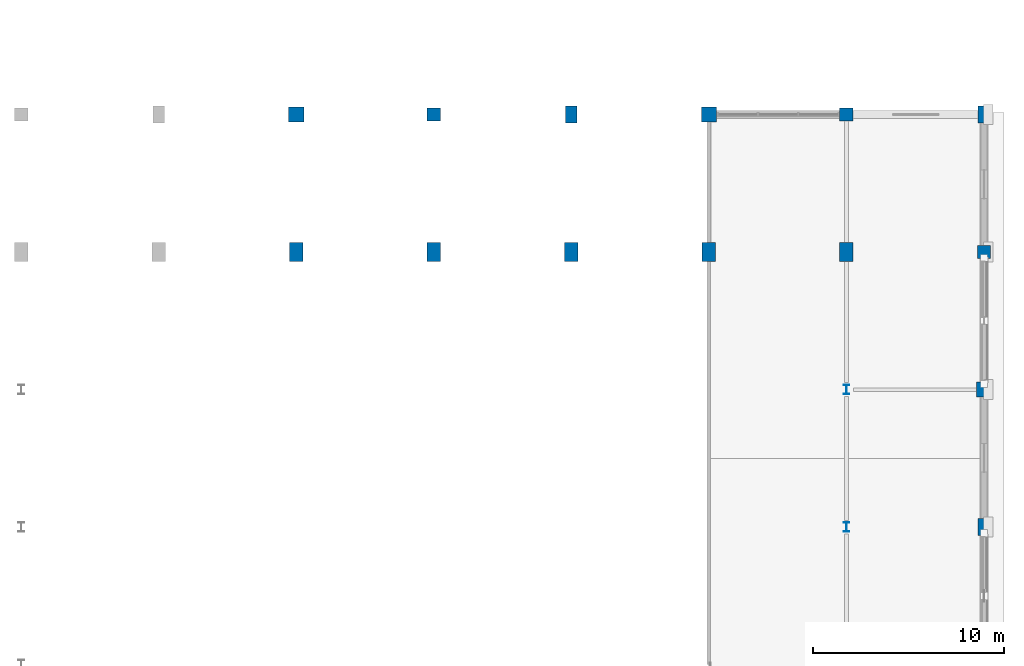
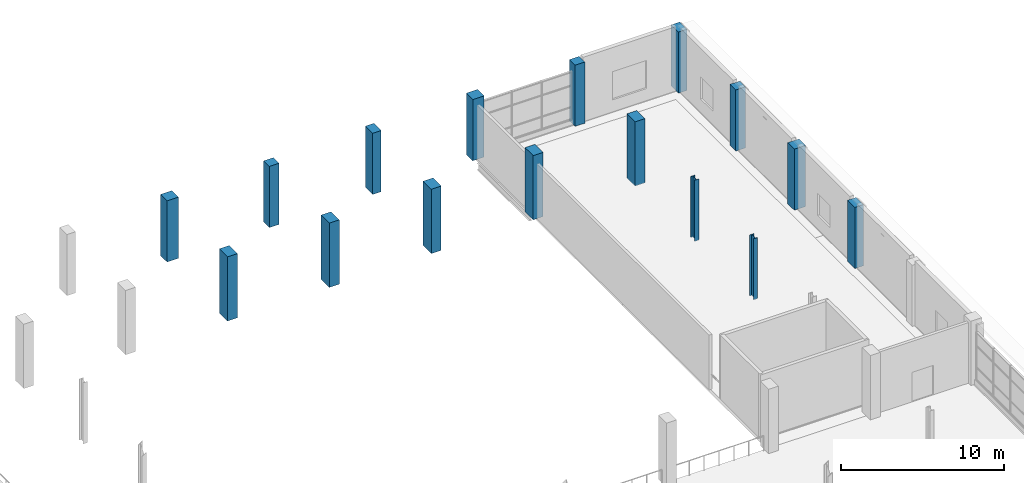
# One storey, part 15 of 82: 16 columns.
"""IFC4 building model written with IfcOpenShell, lengths in metres."""

from ifc_helpers import new_model, si_unit, direction, frame, origin, origin_2d, place, context, subcontext, project, spatial, rectangle, i_section, extrude, material, material_profile, profile_set, type_object, element, save


model = new_model("IFC4")

# Units and contexts
model_context = context("Model", 3, precision=1e-05, world=origin(), true_north=direction((0.0, 1.0)))
body_context = subcontext(model_context, "Body", "Model", "MODEL_VIEW")
ifc_project = project(units=[si_unit("LENGTHUNIT", "METRE"), si_unit("AREAUNIT", "SQUARE_METRE"), si_unit("VOLUMEUNIT", "CUBIC_METRE"), si_unit("PLANEANGLEUNIT", "RADIAN"), si_unit("MASSUNIT", "GRAM", prefix="KILO")], contexts=[model_context])

# Site, building, storey
site_placement = place(None, origin())
site = spatial("IfcSite", under=ifc_project, at=site_placement, CompositionType="ELEMENT")
building_placement = place(site_placement, origin())
building = spatial("IfcBuilding", under=site, at=building_placement, Name="Sardonyx Promenade Sports Hall", CompositionType="ELEMENT")
storey_placement = place(building_placement, frame((0.0, 0.0, 11.199951171875)))
storey = spatial("IfcBuildingStorey", under=building, at=storey_placement, Name="L02", CompositionType="ELEMENT", Elevation=11.199951171875)

# Columns
ifc_material_1 = material(Name="Concrete C40/50", Category="concrete")
ifc_material_profile_1 = material_profile(ifc_material_1, rectangle(XDim=0.60009765625, YDim=0.89990234375, at=origin_2d()))
ifc_profile_set_1 = profile_set([ifc_material_profile_1], Name="Concrete C40/50")
column_type_1 = type_object("IfcColumnType", Name="Col_Ext_RC600x900", PredefinedType="COLUMN", material=ifc_profile_set_1)
for number, where, z_axis, x_axis, name in (
    (1, (144.0, 86.39990234375, 0.0), (0.0, 0.0, 1.0), (1.0, 0.0, 0.0), "Column CE12 L02 (144.0,86.4)"),
    (2, (165.60009765625, 64.800048828125, 0.0), (0.0, 0.0, 1.0), (1.0, 0.0, 0.0), "Column CE12 L02 (165.6,64.8)"),
    (3, (165.60009765625, 86.39990234375, 0.0), (0.0, 0.0, 1.0), (1.0, 0.0, 0.0), "Column CE12 L02 (165.6,86.4)"),
):
    element("IfcColumn", number, at=place(storey_placement, frame(where, z_axis=z_axis, x_axis=x_axis)), inside=storey, type_object=column_type_1, Name=name, PredefinedType="COLUMN", context=body_context, shape_type="SweptSolid", body=[
        extrude(rectangle(XDim=0.60009765625, YDim=0.89990234375, at=origin_2d()), origin(), (0.0, 0.0, 1.0), 4.570068359375),
    ])
ifc_material_2 = material(Name="Concrete C40/50", Category="concrete")
ifc_material_profile_2 = material_profile(ifc_material_2, rectangle(XDim=0.699951171875, YDim=0.699951171875, at=origin_2d()))
ifc_profile_set_2 = profile_set([ifc_material_profile_2], Name="Concrete C40/50")
column_type_2 = type_object("IfcColumnType", Name="Col_Ext_RC700", PredefinedType="COLUMN", material=ifc_profile_set_2)
for number, where, z_axis, x_axis, name in (
    (4, (136.800048828125, 86.39990234375, 0.0), (0.0, 0.0, 1.0), (1.0, 0.0, 0.0), "Column CE05 L02 (136.8,86.4)"),
    (5, (158.39990234375, 86.39990234375, 0.0), (0.0, 0.0, 1.0), (1.0, 0.0, 0.0), "Column CE05 L02 (158.4,86.4)"),
    (6, (165.60009765625, 79.199951171875, 0.0), (0.0, 0.0, 1.0), (1.0, 0.0, 0.0), "Column CE05 L02 (165.6,79.2)"),
):
    element("IfcColumn", number, at=place(storey_placement, frame(where, z_axis=z_axis, x_axis=x_axis)), inside=storey, type_object=column_type_2, Name=name, PredefinedType="COLUMN", context=body_context, shape_type="SweptSolid", body=[
        extrude(rectangle(XDim=0.699951171875, YDim=0.699951171875, at=origin_2d()), origin(), (0.0, 0.0, 1.0), 4.570068359375),
    ])
ifc_material_3 = material(Name="Concrete C50/60", Category="concrete")
ifc_material_profile_3 = material_profile(ifc_material_3, rectangle(XDim=0.699951171875, YDim=1.0, at=origin_2d()))
ifc_profile_set_3 = profile_set([ifc_material_profile_3], Name="Concrete C50/60")
column_type_3 = type_object("IfcColumnType", Name="Col_Ext_RC700x1000", PredefinedType="COLUMN", material=ifc_profile_set_3)
for number, where, z_axis, x_axis, name in (
    (7, (129.60009765625, 79.199951171875, 0.0), (0.0, 0.0, 1.0), (1.0, 0.0, 0.0), "Column CE02 L02 (129.6,79.2)"),
    (8, (136.800048828125, 79.199951171875, 0.0), (0.0, 0.0, 1.0), (1.0, 0.0, 0.0), "Column CE02 L02 (136.8,79.2)"),
    (9, (144.0, 79.199951171875, 0.0), (0.0, 0.0, 1.0), (1.0, 0.0, 0.0), "Column CE02 L02 (144.0,79.2)"),
    (10, (151.199951171875, 79.199951171875, 0.0), (0.0, 0.0, 1.0), (1.0, 0.0, 0.0), "Column CE02 L02 (151.2,79.2)"),
    (11, (158.39990234375, 79.199951171875, 0.0), (0.0, 0.0, 1.0), (1.0, 0.0, 0.0), "Column CE02 L02 (158.4,79.2)"),
):
    element("IfcColumn", number, at=place(storey_placement, frame(where, z_axis=z_axis, x_axis=x_axis)), inside=storey, type_object=column_type_3, Name=name, PredefinedType="COLUMN", context=body_context, shape_type="SweptSolid", body=[
        extrude(rectangle(XDim=0.699951171875, YDim=1.0, at=origin_2d()), origin(), (0.0, 0.0, 1.0), 4.800048828125),
    ])
ifc_material_4 = material(Name="Concrete C50/60", Category="concrete")
ifc_material_profile_4 = material_profile(ifc_material_4, rectangle(XDim=0.800048828125, YDim=0.800048828125, at=origin_2d()))
ifc_profile_set_4 = profile_set([ifc_material_profile_4], Name="Concrete C50/60")
column_type_4 = type_object("IfcColumnType", Name="Col_Ext_RC800", PredefinedType="COLUMN", material=ifc_profile_set_4)
for number, where, z_axis, x_axis, name in (
    (12, (129.60009765625, 86.39990234375, 0.0), (0.0, 0.0, 1.0), (1.0, 0.0, 0.0), "Column CE13 L02 (129.6,86.4)"),
    (13, (151.199951171875, 86.39990234375, 0.0), (0.0, 0.0, 1.0), (1.0, 0.0, 0.0), "Column CE13 L02 (151.2,86.4)"),
    (14, (165.60009765625, 72.0, 0.0), (0.0, 0.0, 1.0), (1.0, 0.0, 0.0), "Column CE13 L02 (165.6,72.0)"),
):
    element("IfcColumn", number, at=place(storey_placement, frame(where, z_axis=z_axis, x_axis=x_axis)), inside=storey, type_object=column_type_4, Name=name, PredefinedType="COLUMN", context=body_context, shape_type="SweptSolid", body=[
        extrude(rectangle(XDim=0.800048828125, YDim=0.800048828125, at=origin_2d()), origin(), (0.0, 0.0, 1.0), 4.570068359375),
    ])
ifc_material_5 = material(Name="Steel S355JR", Category="steel")
ifc_material_profile_5 = material_profile(ifc_material_5, i_section(OverallWidth=0.300048828125, OverallDepth=0.489990234375, WebThickness=0.011962890625, FlangeThickness=0.02294921875, at=origin_2d()))
ifc_profile_set_5 = profile_set([ifc_material_profile_5], Name="Steel S355JR")
column_type_5 = type_object("IfcColumnType", Name="Col_Int_HEA500", PredefinedType="COLUMN", material=ifc_profile_set_5)
for number, where, z_axis, x_axis, name in (
    (15, (158.39990234375, 64.800048828125, 0.0), (0.0, 0.0, 1.0), (1.0, 0.0, 0.0), "Column CI08 L02 (158.4,64.8)"),
    (16, (158.39990234375, 72.0, 0.0), (0.0, 0.0, 1.0), (1.0, 0.0, 0.0), "Column CI08 L02 (158.4,72.0)"),
):
    element("IfcColumn", number, at=place(storey_placement, frame(where, z_axis=z_axis, x_axis=x_axis)), inside=storey, type_object=column_type_5, Name=name, PredefinedType="COLUMN", context=body_context, shape_type="SweptSolid", body=[
        extrude(i_section(OverallWidth=0.300048828125, OverallDepth=0.489990234375, WebThickness=0.011962890625, FlangeThickness=0.02294921875, at=origin_2d()), origin(), (0.0, 0.0, 1.0), 4.570068359375),
    ])

save(model, "model.ifc")
